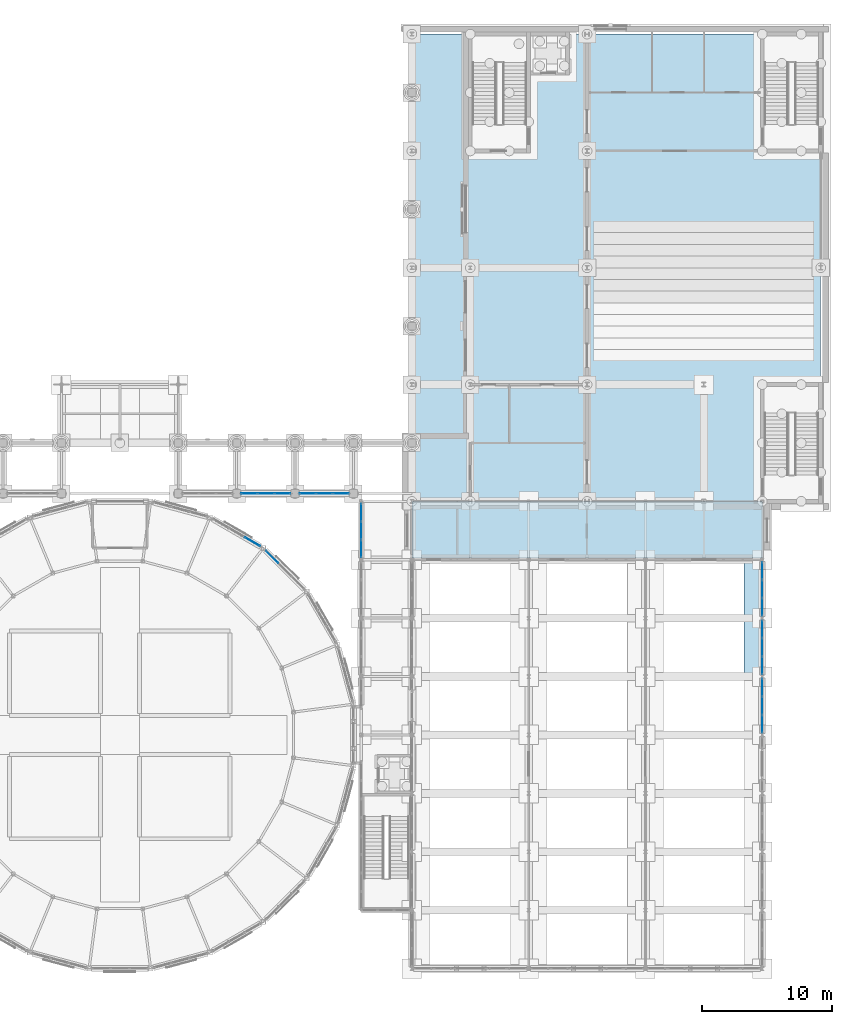
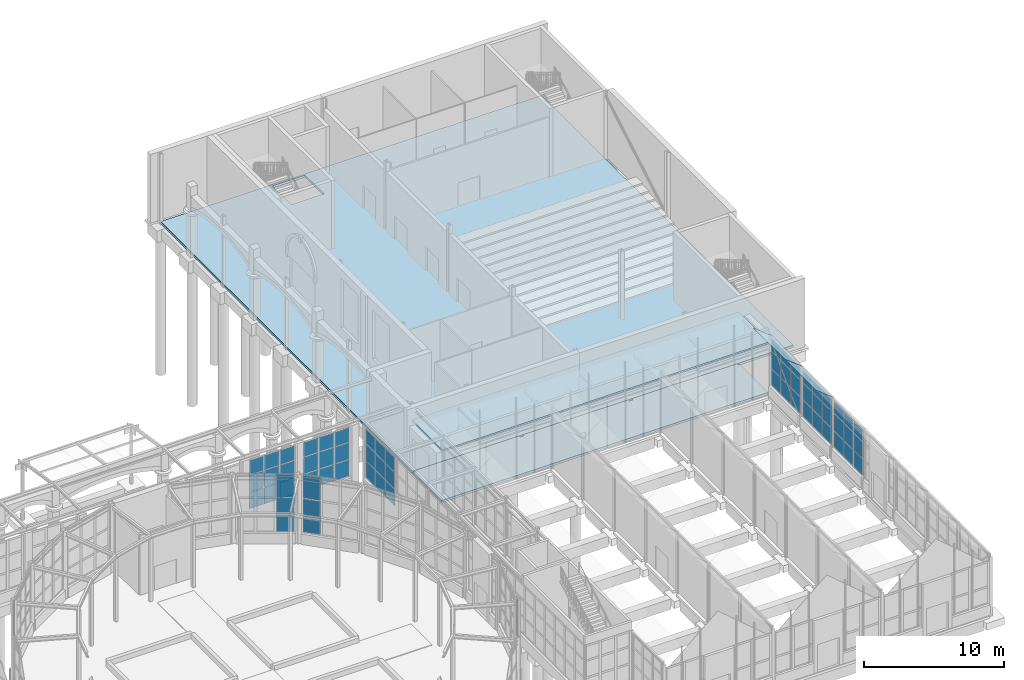
# One storey, part 65 of 106: 62 plates, 3 slabs, 8 elements without a shape of their own.
"""IFC4 building model written with IfcOpenShell, lengths in metres."""

from ifc_helpers import new_model, si_unit, direction, frame, origin, origin_2d, place, context, subcontext, project, spatial, polyline, rectangle, outline, extrude, material, layer, layer_set, type_object, element, aggregate, save


model = new_model("IFC4")

# Units and contexts
model_context = context("Model", 3, precision=1e-05, world=origin(), true_north=direction((0.0, 1.0)))
body_context = subcontext(model_context, "Body", "Model", "MODEL_VIEW")
ifc_project = project(units=[si_unit("LENGTHUNIT", "METRE"), si_unit("AREAUNIT", "SQUARE_METRE"), si_unit("VOLUMEUNIT", "CUBIC_METRE"), si_unit("PLANEANGLEUNIT", "RADIAN"), si_unit("MASSUNIT", "GRAM", prefix="KILO")], contexts=[model_context])

# Site, building, storey
site_placement = place(None, origin())
site = spatial("IfcSite", under=ifc_project, at=site_placement, CompositionType="ELEMENT")
building_placement = place(site_placement, origin())
building = spatial("IfcBuilding", under=site, at=building_placement, Name="Hortulan Conservatory and Botanical Research Centre", CompositionType="ELEMENT")
storey_placement = place(building_placement, origin())
storey = spatial("IfcBuildingStorey", under=building, at=storey_placement, Name="L00", CompositionType="ELEMENT", Elevation=0.0)

# Plate
ifc_material_1 = material(Name="Verdigris copper-green zinc sheet on timber decking", Category="wood")
ifc_layer_1 = layer(ifc_material_1, 0.011962890625)
ifc_layer_set_1 = layer_set([ifc_layer_1], Name="Climate House End Bay Zinc Roof Panel 12")
plate_type_1 = type_object("IfcPlateType", Name="Climate House End Bay Zinc Roof Panel 12", PredefinedType="SHEET", material=ifc_layer_set_1)
plate_1_placement = place(storey_placement, frame((103.60205078125, 31.5, 5.131103515625), z_axis=(0.613967295793, 0.0, 0.789331463769), x_axis=(-0.789331463769, 0.0, 0.613967295793)))
element("IfcPlate", 1, at=plate_1_placement, inside=storey, type_object=plate_type_1, Name="Climate house end bay roof panel", PredefinedType="SHEET", context=body_context, shape_type="SweptSolid", body=[
    extrude(outline(polyline([(0.0, 0.0), (1.9003423388659808, 0.0), (1.9003423388659808, 4.5), (0.0, 4.5), (0.0, 0.0)])), origin(), (0.0, 0.0, -1.0), 0.011962890625),
])

# Slabs
ifc_material_2 = material(Name="Concrete N40 (40 MPa, AS 3600)", Category="concrete")
ifc_layer_2 = layer(ifc_material_2, 0.199951171875)
ifc_layer_set_2 = layer_set([ifc_layer_2], Name="Gardeners Block Ground Slab 200")
slab_type_1 = type_object("IfcSlabType", Name="Gardeners Block Ground Slab 200", PredefinedType="BASESLAB", material=ifc_layer_set_2)
slab_1_placement = place(storey_placement, frame((0.0, 0.0, -0.199951171875)))
element("IfcSlab", 2, at=slab_1_placement, inside=storey, type_object=slab_type_1, Name="Gardeners block ground slab 1", PredefinedType="BASESLAB", context=body_context, shape_type="SweptSolid", body=[
    extrude(outline(polyline([(103.5, 31.800048828125), (76.5, 31.800048828125), (76.5, 35.840087890625), (76.659912109375, 35.840087890625), (76.659912109375, 36.0), (85.340087890625, 36.0), (85.340087890625, 35.840087890625), (85.659912109375, 35.840087890625), (85.659912109375, 36.0), (94.340087890625, 36.0), (94.340087890625, 35.840087890625), (94.659912109375, 35.840087890625), (94.659912109375, 36.0), (103.340087890625, 36.0), (103.340087890625, 35.840087890625), (103.5, 35.840087890625), (103.5, 31.800048828125)])), origin(), (0.0, 0.0, 1.0), 0.199951171875),
])
ifc_layer_3 = layer(ifc_material_2, 0.14990234375)
ifc_layer_set_3 = layer_set([ifc_layer_3], Name="Gardeners Block Roof Slab 150")
slab_type_2 = type_object("IfcSlabType", Name="Gardeners Block Roof Slab 150", PredefinedType="ROOF", material=ifc_layer_set_3)
slab_2_placement = place(storey_placement, frame((0.0, 0.0, 4.35009765625)))
element("IfcSlab", 3, at=slab_2_placement, inside=storey, type_object=slab_type_2, Name="Gardeners block roof slab 1", PredefinedType="ROOF", context=body_context, shape_type="SweptSolid", body=[
    extrude(outline(polyline([(76.5, 31.64697265625), (76.5, 36.0), (103.5, 36.0), (103.5, 31.64697265625), (76.5, 31.64697265625)])), origin(), (0.0, 0.0, 1.0), 0.14990234375),
])

# Plate
ifc_material_3 = material(Name="Low-e laminated glass", Category="glass")
ifc_layer_4 = layer(ifc_material_3, 0.011962890625)
ifc_layer_set_4 = layer_set([ifc_layer_4], Name="Glasshouse Roof Glazing Panel 12")
plate_type_2 = type_object("IfcPlateType", Name="Glasshouse Roof Glazing Panel 12", PredefinedType="SHEET", material=ifc_layer_set_4)
plate_2_placement = place(storey_placement, frame((103.60205078125, 27.0, 5.131103515625), z_axis=(0.613967295793, 0.0, 0.789331463769), x_axis=(-0.789331463769, 0.0, 0.613967295793)))
element("IfcPlate", 4, at=plate_2_placement, inside=storey, type_object=plate_type_2, Name="Glasshouse roof panel", PredefinedType="SHEET", context=body_context, shape_type="SweptSolid", body=[
    extrude(outline(polyline([(0.0, 0.0), (1.9003423388659808, 0.0), (1.9003423388659808, 4.5), (0.0, 4.5), (0.0, 0.0)])), origin(), (0.0, 0.0, -1.0), 0.011962890625),
])

# Slab
ifc_layer_5 = layer(ifc_material_2, 0.199951171875)
ifc_layer_set_5 = layer_set([ifc_layer_5], Name="Ground Slab 200")
slab_type_3 = type_object("IfcSlabType", Name="Ground Slab 200", PredefinedType="BASESLAB", material=ifc_layer_set_5)
slab_3_placement = place(storey_placement, frame((0.0, 0.0, -0.199951171875)))
element("IfcSlab", 5, at=slab_3_placement, inside=storey, type_object=slab_type_3, Name="Ground slab", PredefinedType="BASESLAB", context=body_context, shape_type="SweptSolid", body=[
    extrude(outline(polyline([(76.5, 36.0), (108.0, 36.0), (108.0, 72.0), (76.5, 72.0), (76.5, 36.0)]), holes=[polyline([(88.35009765625, 71.85009765625), (85.64990234375, 71.85009765625), (85.64990234375, 69.14990234375), (88.35009765625, 69.14990234375), (88.35009765625, 71.85009765625)])]), origin(), (0.0, 0.0, 1.0), 0.199951171875),
])

# Curtain wall, plates
ifc_material_4 = material(Name="Bronze-finished aluminium", Category="aluminium")
ifc_layer_6 = layer(ifc_material_4, 0.10009765625)
ifc_layer_set_6 = layer_set([ifc_layer_6], Name="Bronze-framed Curtain Wall 1500 module")
curtain_wall_type = type_object("IfcCurtainWallType", Name="Bronze-framed Curtain Wall 1500 module", PredefinedType="NOTDEFINED", material=ifc_layer_set_6)
curtain_wall_1_placement = place(storey_placement, origin())
curtain_wall_1 = element("IfcCurtainWall", 6, at=curtain_wall_1_placement, inside=storey, type_object=curtain_wall_type, Name="Curtain wall", PredefinedType="NOTDEFINED")
ifc_layer_7 = layer(ifc_material_3, 0.028076171875)
ifc_layer_set_7 = layer_set([ifc_layer_7], Name="Laminated Glass Panel 28")
plate_type_3 = type_object("IfcPlateType", Name="Laminated Glass Panel 28", PredefinedType="CURTAIN_PANEL", material=ifc_layer_set_7)
plate_3_placement = place(storey_placement, frame((65.738037109375, 31.718017578125, 0.9599609375), z_axis=(0.0, 0.0, 1.0), x_axis=(0.707106781187, -0.707106781187, 0.0)))
plate_3 = element("IfcPlate", 7, at=plate_3_placement, type_object=plate_type_3, Name="CW1 panel 1.1", PredefinedType="CURTAIN_PANEL", context=body_context, shape_type="SweptSolid", body=[
    extrude(rectangle(XDim=1.3251953125, YDim=0.028076171875, at=origin_2d()), origin(), (0.0, 0.0, 1.0), 1.409912109375),
])
plate_4_placement = place(storey_placement, frame((65.738037109375, 31.718017578125, 2.429931640625), z_axis=(0.0, 0.0, 1.0), x_axis=(0.707106781187, -0.707106781187, 0.0)))
plate_4 = element("IfcPlate", 8, at=plate_4_placement, type_object=plate_type_3, Name="CW1 panel 1.2", PredefinedType="CURTAIN_PANEL", context=body_context, shape_type="SweptSolid", body=[
    extrude(rectangle(XDim=1.3251953125, YDim=0.028076171875, at=origin_2d()), origin(), (0.0, 0.0, 1.0), 1.43994140625),
])
plate_5_placement = place(storey_placement, frame((65.738037109375, 31.718017578125, 3.93017578125), z_axis=(0.0, 0.0, 1.0), x_axis=(0.707106781187, -0.707106781187, 0.0)))
plate_5 = element("IfcPlate", 9, at=plate_5_placement, type_object=plate_type_3, Name="CW1 panel 1.3", PredefinedType="CURTAIN_PANEL", context=body_context, shape_type="SweptSolid", body=[
    extrude(rectangle(XDim=1.3251953125, YDim=0.028076171875, at=origin_2d()), origin(), (0.0, 0.0, 1.0), 2.010009765625),
])
aggregate(curtain_wall_1, [plate_3, plate_4, plate_5])

curtain_wall_2_placement = place(storey_placement, origin())
curtain_wall_2 = element("IfcCurtainWall", 10, at=curtain_wall_2_placement, inside=storey, type_object=curtain_wall_type, Name="Curtain wall", PredefinedType="NOTDEFINED")
plate_6_placement = place(storey_placement, frame((64.217041015625, 32.885986328125, 0.9599609375), z_axis=(0.0, 0.0, 1.0), x_axis=(0.866036280655, -0.499981160235, 0.0)))
plate_6 = element("IfcPlate", 11, at=plate_6_placement, type_object=plate_type_3, Name="CW1 panel 3.1", PredefinedType="CURTAIN_PANEL", context=body_context, shape_type="SweptSolid", body=[
    extrude(rectangle(XDim=1.330078125, YDim=0.028076171875, at=origin_2d()), origin(), (0.0, 0.0, 1.0), 1.409912109375),
])
plate_7_placement = place(storey_placement, frame((64.217041015625, 32.885986328125, 2.429931640625), z_axis=(0.0, 0.0, 1.0), x_axis=(0.866036280655, -0.499981160235, 0.0)))
plate_7 = element("IfcPlate", 12, at=plate_7_placement, type_object=plate_type_3, Name="CW1 panel 3.2", PredefinedType="CURTAIN_PANEL", context=body_context, shape_type="SweptSolid", body=[
    extrude(rectangle(XDim=1.330078125, YDim=0.028076171875, at=origin_2d()), origin(), (0.0, 0.0, 1.0), 1.43994140625),
])
plate_8_placement = place(storey_placement, frame((64.217041015625, 32.885986328125, 3.93017578125), z_axis=(0.0, 0.0, 1.0), x_axis=(0.866036280655, -0.499981160235, 0.0)))
plate_8 = element("IfcPlate", 13, at=plate_8_placement, type_object=plate_type_3, Name="CW1 panel 3.3", PredefinedType="CURTAIN_PANEL", context=body_context, shape_type="SweptSolid", body=[
    extrude(rectangle(XDim=1.330078125, YDim=0.028076171875, at=origin_2d()), origin(), (0.0, 0.0, 1.0), 2.010009765625),
])
aggregate(curtain_wall_2, [plate_6, plate_7, plate_8])

curtain_wall_3_placement = place(storey_placement, origin())
curtain_wall_3 = element("IfcCurtainWall", 14, at=curtain_wall_3_placement, inside=storey, type_object=curtain_wall_type, Name="Curtain wall", PredefinedType="NOTDEFINED")
plate_9_placement = place(storey_placement, frame((72.60009765625, 32.348388671875, 0.9599609375), z_axis=(0.0, 0.0, 1.0), x_axis=(0.0, 1.0, 0.0)))
plate_9 = element("IfcPlate", 15, at=plate_9_placement, type_object=plate_type_3, Name="CW1 panel 1.1", PredefinedType="CURTAIN_PANEL", context=body_context, shape_type="SweptSolid", body=[
    extrude(rectangle(XDim=1.32666015625, YDim=0.028076171875, at=origin_2d()), origin(), (0.0, 0.0, 1.0), 1.409912109375),
])
plate_10_placement = place(storey_placement, frame((72.60009765625, 32.348388671875, 2.429931640625), z_axis=(0.0, 0.0, 1.0), x_axis=(0.0, 1.0, 0.0)))
plate_10 = element("IfcPlate", 16, at=plate_10_placement, type_object=plate_type_3, Name="CW1 panel 1.2", PredefinedType="CURTAIN_PANEL", context=body_context, shape_type="SweptSolid", body=[
    extrude(rectangle(XDim=1.32666015625, YDim=0.028076171875, at=origin_2d()), origin(), (0.0, 0.0, 1.0), 1.43994140625),
])
plate_11_placement = place(storey_placement, frame((72.60009765625, 32.348388671875, 3.929931640625), z_axis=(0.0, 0.0, 1.0), x_axis=(0.0, 1.0, 0.0)))
plate_11 = element("IfcPlate", 17, at=plate_11_placement, type_object=plate_type_3, Name="CW1 panel 1.3", PredefinedType="CURTAIN_PANEL", context=body_context, shape_type="SweptSolid", body=[
    extrude(rectangle(XDim=1.32666015625, YDim=0.028076171875, at=origin_2d()), origin(), (0.0, 0.0, 1.0), 1.25),
])
plate_12_placement = place(storey_placement, frame((72.60009765625, 33.75, 0.9599609375), z_axis=(0.0, 0.0, 1.0), x_axis=(0.0, 1.0, 0.0)))
plate_12 = element("IfcPlate", 18, at=plate_12_placement, type_object=plate_type_3, Name="CW1 panel 2.1", PredefinedType="CURTAIN_PANEL", context=body_context, shape_type="SweptSolid", body=[
    extrude(rectangle(XDim=1.356689453125, YDim=0.028076171875, at=origin_2d()), origin(), (0.0, 0.0, 1.0), 1.409912109375),
])
plate_13_placement = place(storey_placement, frame((72.60009765625, 33.75, 2.429931640625), z_axis=(0.0, 0.0, 1.0), x_axis=(0.0, 1.0, 0.0)))
plate_13 = element("IfcPlate", 19, at=plate_13_placement, type_object=plate_type_3, Name="CW1 panel 2.2", PredefinedType="CURTAIN_PANEL", context=body_context, shape_type="SweptSolid", body=[
    extrude(rectangle(XDim=1.356689453125, YDim=0.028076171875, at=origin_2d()), origin(), (0.0, 0.0, 1.0), 1.43994140625),
])
plate_14_placement = place(storey_placement, frame((72.60009765625, 33.75, 3.929931640625), z_axis=(0.0, 0.0, 1.0), x_axis=(0.0, 1.0, 0.0)))
plate_14 = element("IfcPlate", 20, at=plate_14_placement, type_object=plate_type_3, Name="CW1 panel 2.3", PredefinedType="CURTAIN_PANEL", context=body_context, shape_type="SweptSolid", body=[
    extrude(rectangle(XDim=1.356689453125, YDim=0.028076171875, at=origin_2d()), origin(), (0.0, 0.0, 1.0), 1.25),
])
plate_15_placement = place(storey_placement, frame((72.60009765625, 35.151611328125, 0.9599609375), z_axis=(0.0, 0.0, 1.0), x_axis=(0.0, 1.0, 0.0)))
plate_15 = element("IfcPlate", 21, at=plate_15_placement, type_object=plate_type_3, Name="CW1 panel 3.1", PredefinedType="CURTAIN_PANEL", context=body_context, shape_type="SweptSolid", body=[
    extrude(rectangle(XDim=1.32666015625, YDim=0.028076171875, at=origin_2d()), origin(), (0.0, 0.0, 1.0), 1.409912109375),
])
plate_16_placement = place(storey_placement, frame((72.60009765625, 35.151611328125, 2.429931640625), z_axis=(0.0, 0.0, 1.0), x_axis=(0.0, 1.0, 0.0)))
plate_16 = element("IfcPlate", 22, at=plate_16_placement, type_object=plate_type_3, Name="CW1 panel 3.2", PredefinedType="CURTAIN_PANEL", context=body_context, shape_type="SweptSolid", body=[
    extrude(rectangle(XDim=1.32666015625, YDim=0.028076171875, at=origin_2d()), origin(), (0.0, 0.0, 1.0), 1.43994140625),
])
plate_17_placement = place(storey_placement, frame((72.60009765625, 35.151611328125, 3.929931640625), z_axis=(0.0, 0.0, 1.0), x_axis=(0.0, 1.0, 0.0)))
plate_17 = element("IfcPlate", 23, at=plate_17_placement, type_object=plate_type_3, Name="CW1 panel 3.3", PredefinedType="CURTAIN_PANEL", context=body_context, shape_type="SweptSolid", body=[
    extrude(rectangle(XDim=1.32666015625, YDim=0.028076171875, at=origin_2d()), origin(), (0.0, 0.0, 1.0), 1.25),
])
aggregate(curtain_wall_3, [plate_9, plate_10, plate_11, plate_12, plate_13, plate_14, plate_15, plate_16, plate_17])

curtain_wall_4_placement = place(storey_placement, origin())
curtain_wall_4 = element("IfcCurtainWall", 24, at=curtain_wall_4_placement, inside=storey, type_object=curtain_wall_type, Name="Curtain wall", PredefinedType="NOTDEFINED")
plate_18_placement = place(storey_placement, frame((63.965087890625, 36.60009765625, 0.9599609375), z_axis=(0.0, 0.0, 1.0), x_axis=(1.0, 0.0, 0.0)))
plate_18 = element("IfcPlate", 25, at=plate_18_placement, type_object=plate_type_3, Name="CW1 panel 1.1", PredefinedType="CURTAIN_PANEL", context=body_context, shape_type="SweptSolid", body=[
    extrude(rectangle(XDim=1.2099609375, YDim=0.028076171875, at=origin_2d()), origin(), (0.0, 0.0, 1.0), 1.409912109375),
])
plate_19_placement = place(storey_placement, frame((63.965087890625, 36.60009765625, 2.429931640625), z_axis=(0.0, 0.0, 1.0), x_axis=(1.0, 0.0, 0.0)))
plate_19 = element("IfcPlate", 26, at=plate_19_placement, type_object=plate_type_3, Name="CW1 panel 1.2", PredefinedType="CURTAIN_PANEL", context=body_context, shape_type="SweptSolid", body=[
    extrude(rectangle(XDim=1.2099609375, YDim=0.028076171875, at=origin_2d()), origin(), (0.0, 0.0, 1.0), 1.43994140625),
])
plate_20_placement = place(storey_placement, frame((63.965087890625, 36.60009765625, 3.929931640625), z_axis=(0.0, 0.0, 1.0), x_axis=(1.0, 0.0, 0.0)))
plate_20 = element("IfcPlate", 27, at=plate_20_placement, type_object=plate_type_3, Name="CW1 panel 1.3", PredefinedType="CURTAIN_PANEL", context=body_context, shape_type="SweptSolid", body=[
    extrude(rectangle(XDim=1.2099609375, YDim=0.028076171875, at=origin_2d()), origin(), (0.0, 0.0, 1.0), 1.25),
])
plate_21_placement = place(storey_placement, frame((65.25, 36.60009765625, 0.9599609375), z_axis=(0.0, 0.0, 1.0), x_axis=(1.0, 0.0, 0.0)))
plate_21 = element("IfcPlate", 28, at=plate_21_placement, type_object=plate_type_3, Name="CW1 panel 2.1", PredefinedType="CURTAIN_PANEL", context=body_context, shape_type="SweptSolid", body=[
    extrude(rectangle(XDim=1.239990234375, YDim=0.028076171875, at=origin_2d()), origin(), (0.0, 0.0, 1.0), 1.409912109375),
])
plate_22_placement = place(storey_placement, frame((65.25, 36.60009765625, 2.429931640625), z_axis=(0.0, 0.0, 1.0), x_axis=(1.0, 0.0, 0.0)))
plate_22 = element("IfcPlate", 29, at=plate_22_placement, type_object=plate_type_3, Name="CW1 panel 2.2", PredefinedType="CURTAIN_PANEL", context=body_context, shape_type="SweptSolid", body=[
    extrude(rectangle(XDim=1.239990234375, YDim=0.028076171875, at=origin_2d()), origin(), (0.0, 0.0, 1.0), 1.43994140625),
])
plate_23_placement = place(storey_placement, frame((65.25, 36.60009765625, 3.929931640625), z_axis=(0.0, 0.0, 1.0), x_axis=(1.0, 0.0, 0.0)))
plate_23 = element("IfcPlate", 30, at=plate_23_placement, type_object=plate_type_3, Name="CW1 panel 2.3", PredefinedType="CURTAIN_PANEL", context=body_context, shape_type="SweptSolid", body=[
    extrude(rectangle(XDim=1.239990234375, YDim=0.028076171875, at=origin_2d()), origin(), (0.0, 0.0, 1.0), 1.25),
])
plate_24_placement = place(storey_placement, frame((66.534912109375, 36.60009765625, 0.9599609375), z_axis=(0.0, 0.0, 1.0), x_axis=(1.0, 0.0, 0.0)))
plate_24 = element("IfcPlate", 31, at=plate_24_placement, type_object=plate_type_3, Name="CW1 panel 3.1", PredefinedType="CURTAIN_PANEL", context=body_context, shape_type="SweptSolid", body=[
    extrude(rectangle(XDim=1.2099609375, YDim=0.028076171875, at=origin_2d()), origin(), (0.0, 0.0, 1.0), 1.409912109375),
])
plate_25_placement = place(storey_placement, frame((66.534912109375, 36.60009765625, 2.429931640625), z_axis=(0.0, 0.0, 1.0), x_axis=(1.0, 0.0, 0.0)))
plate_25 = element("IfcPlate", 32, at=plate_25_placement, type_object=plate_type_3, Name="CW1 panel 3.2", PredefinedType="CURTAIN_PANEL", context=body_context, shape_type="SweptSolid", body=[
    extrude(rectangle(XDim=1.2099609375, YDim=0.028076171875, at=origin_2d()), origin(), (0.0, 0.0, 1.0), 1.43994140625),
])
plate_26_placement = place(storey_placement, frame((66.534912109375, 36.60009765625, 3.929931640625), z_axis=(0.0, 0.0, 1.0), x_axis=(1.0, 0.0, 0.0)))
plate_26 = element("IfcPlate", 33, at=plate_26_placement, type_object=plate_type_3, Name="CW1 panel 3.3", PredefinedType="CURTAIN_PANEL", context=body_context, shape_type="SweptSolid", body=[
    extrude(rectangle(XDim=1.2099609375, YDim=0.028076171875, at=origin_2d()), origin(), (0.0, 0.0, 1.0), 1.25),
])
aggregate(curtain_wall_4, [plate_18, plate_19, plate_20, plate_21, plate_22, plate_23, plate_24, plate_25, plate_26])

curtain_wall_5_placement = place(storey_placement, origin())
curtain_wall_5 = element("IfcCurtainWall", 34, at=curtain_wall_5_placement, inside=storey, type_object=curtain_wall_type, Name="Curtain wall", PredefinedType="NOTDEFINED")
plate_27_placement = place(storey_placement, frame((68.465087890625, 36.60009765625, 0.9599609375), z_axis=(0.0, 0.0, 1.0), x_axis=(1.0, 0.0, 0.0)))
plate_27 = element("IfcPlate", 35, at=plate_27_placement, type_object=plate_type_3, Name="CW1 panel 1.1", PredefinedType="CURTAIN_PANEL", context=body_context, shape_type="SweptSolid", body=[
    extrude(rectangle(XDim=1.2099609375, YDim=0.028076171875, at=origin_2d()), origin(), (0.0, 0.0, 1.0), 1.409912109375),
])
plate_28_placement = place(storey_placement, frame((68.465087890625, 36.60009765625, 2.429931640625), z_axis=(0.0, 0.0, 1.0), x_axis=(1.0, 0.0, 0.0)))
plate_28 = element("IfcPlate", 36, at=plate_28_placement, type_object=plate_type_3, Name="CW1 panel 1.2", PredefinedType="CURTAIN_PANEL", context=body_context, shape_type="SweptSolid", body=[
    extrude(rectangle(XDim=1.2099609375, YDim=0.028076171875, at=origin_2d()), origin(), (0.0, 0.0, 1.0), 1.43994140625),
])
plate_29_placement = place(storey_placement, frame((68.465087890625, 36.60009765625, 3.929931640625), z_axis=(0.0, 0.0, 1.0), x_axis=(1.0, 0.0, 0.0)))
plate_29 = element("IfcPlate", 37, at=plate_29_placement, type_object=plate_type_3, Name="CW1 panel 1.3", PredefinedType="CURTAIN_PANEL", context=body_context, shape_type="SweptSolid", body=[
    extrude(rectangle(XDim=1.2099609375, YDim=0.028076171875, at=origin_2d()), origin(), (0.0, 0.0, 1.0), 1.25),
])
plate_30_placement = place(storey_placement, frame((69.75, 36.60009765625, 0.9599609375), z_axis=(0.0, 0.0, 1.0), x_axis=(1.0, 0.0, 0.0)))
plate_30 = element("IfcPlate", 38, at=plate_30_placement, type_object=plate_type_3, Name="CW1 panel 2.1", PredefinedType="CURTAIN_PANEL", context=body_context, shape_type="SweptSolid", body=[
    extrude(rectangle(XDim=1.239990234375, YDim=0.028076171875, at=origin_2d()), origin(), (0.0, 0.0, 1.0), 1.409912109375),
])
plate_31_placement = place(storey_placement, frame((69.75, 36.60009765625, 2.429931640625), z_axis=(0.0, 0.0, 1.0), x_axis=(1.0, 0.0, 0.0)))
plate_31 = element("IfcPlate", 39, at=plate_31_placement, type_object=plate_type_3, Name="CW1 panel 2.2", PredefinedType="CURTAIN_PANEL", context=body_context, shape_type="SweptSolid", body=[
    extrude(rectangle(XDim=1.239990234375, YDim=0.028076171875, at=origin_2d()), origin(), (0.0, 0.0, 1.0), 1.43994140625),
])
plate_32_placement = place(storey_placement, frame((69.75, 36.60009765625, 3.929931640625), z_axis=(0.0, 0.0, 1.0), x_axis=(1.0, 0.0, 0.0)))
plate_32 = element("IfcPlate", 40, at=plate_32_placement, type_object=plate_type_3, Name="CW1 panel 2.3", PredefinedType="CURTAIN_PANEL", context=body_context, shape_type="SweptSolid", body=[
    extrude(rectangle(XDim=1.239990234375, YDim=0.028076171875, at=origin_2d()), origin(), (0.0, 0.0, 1.0), 1.25),
])
plate_33_placement = place(storey_placement, frame((71.034912109375, 36.60009765625, 0.9599609375), z_axis=(0.0, 0.0, 1.0), x_axis=(1.0, 0.0, 0.0)))
plate_33 = element("IfcPlate", 41, at=plate_33_placement, type_object=plate_type_3, Name="CW1 panel 3.1", PredefinedType="CURTAIN_PANEL", context=body_context, shape_type="SweptSolid", body=[
    extrude(rectangle(XDim=1.2099609375, YDim=0.028076171875, at=origin_2d()), origin(), (0.0, 0.0, 1.0), 1.409912109375),
])
plate_34_placement = place(storey_placement, frame((71.034912109375, 36.60009765625, 2.429931640625), z_axis=(0.0, 0.0, 1.0), x_axis=(1.0, 0.0, 0.0)))
plate_34 = element("IfcPlate", 42, at=plate_34_placement, type_object=plate_type_3, Name="CW1 panel 3.2", PredefinedType="CURTAIN_PANEL", context=body_context, shape_type="SweptSolid", body=[
    extrude(rectangle(XDim=1.2099609375, YDim=0.028076171875, at=origin_2d()), origin(), (0.0, 0.0, 1.0), 1.43994140625),
])
plate_35_placement = place(storey_placement, frame((71.034912109375, 36.60009765625, 3.929931640625), z_axis=(0.0, 0.0, 1.0), x_axis=(1.0, 0.0, 0.0)))
plate_35 = element("IfcPlate", 43, at=plate_35_placement, type_object=plate_type_3, Name="CW1 panel 3.3", PredefinedType="CURTAIN_PANEL", context=body_context, shape_type="SweptSolid", body=[
    extrude(rectangle(XDim=1.2099609375, YDim=0.028076171875, at=origin_2d()), origin(), (0.0, 0.0, 1.0), 1.25),
])
aggregate(curtain_wall_5, [plate_27, plate_28, plate_29, plate_30, plate_31, plate_32, plate_33, plate_34, plate_35])

curtain_wall_6_placement = place(storey_placement, origin())
curtain_wall_6 = element("IfcCurtainWall", 44, at=curtain_wall_6_placement, inside=storey, type_object=curtain_wall_type, Name="Curtain wall", PredefinedType="NOTDEFINED")
plate_36_placement = place(storey_placement, frame((103.5, 18.849609375, 0.9599609375), z_axis=(0.0, 0.0, 1.0), x_axis=(0.0, 1.0, 0.0)))
plate_36 = element("IfcPlate", 45, at=plate_36_placement, type_object=plate_type_3, Name="CW1 panel 1.1", PredefinedType="CURTAIN_PANEL", context=body_context, shape_type="SweptSolid", body=[
    extrude(rectangle(XDim=1.325439453125, YDim=0.028076171875, at=origin_2d()), origin(), (0.0, 0.0, 1.0), 1.409912109375),
])
plate_37_placement = place(storey_placement, frame((103.5, 18.849609375, 2.429931640625), z_axis=(0.0, 0.0, 1.0), x_axis=(0.0, 1.0, 0.0)))
plate_37 = element("IfcPlate", 46, at=plate_37_placement, type_object=plate_type_3, Name="CW1 panel 1.2", PredefinedType="CURTAIN_PANEL", context=body_context, shape_type="SweptSolid", body=[
    extrude(rectangle(XDim=1.325439453125, YDim=0.028076171875, at=origin_2d()), origin(), (0.0, 0.0, 1.0), 1.43994140625),
])
plate_38_placement = place(storey_placement, frame((103.5, 18.849609375, 3.93017578125), z_axis=(0.0, 0.0, 1.0), x_axis=(0.0, 1.0, 0.0)))
plate_38 = element("IfcPlate", 47, at=plate_38_placement, type_object=plate_type_3, Name="CW1 panel 1.3", PredefinedType="CURTAIN_PANEL", context=body_context, shape_type="SweptSolid", body=[
    extrude(rectangle(XDim=1.325439453125, YDim=0.028076171875, at=origin_2d()), origin(), (0.0, 0.0, 1.0), 1.010009765625),
])
plate_39_placement = place(storey_placement, frame((103.5, 20.25, 0.9599609375), z_axis=(0.0, 0.0, 1.0), x_axis=(0.0, 1.0, 0.0)))
plate_39 = element("IfcPlate", 48, at=plate_39_placement, type_object=plate_type_3, Name="CW1 panel 2.1", PredefinedType="CURTAIN_PANEL", context=body_context, shape_type="SweptSolid", body=[
    extrude(rectangle(XDim=1.355224609375, YDim=0.028076171875, at=origin_2d()), origin(), (0.0, 0.0, 1.0), 1.409912109375),
])
plate_40_placement = place(storey_placement, frame((103.5, 20.25, 2.429931640625), z_axis=(0.0, 0.0, 1.0), x_axis=(0.0, 1.0, 0.0)))
plate_40 = element("IfcPlate", 49, at=plate_40_placement, type_object=plate_type_3, Name="CW1 panel 2.2", PredefinedType="CURTAIN_PANEL", context=body_context, shape_type="SweptSolid", body=[
    extrude(rectangle(XDim=1.355224609375, YDim=0.028076171875, at=origin_2d()), origin(), (0.0, 0.0, 1.0), 1.43994140625),
])
plate_41_placement = place(storey_placement, frame((103.5, 20.25, 3.93017578125), z_axis=(0.0, 0.0, 1.0), x_axis=(0.0, 1.0, 0.0)))
plate_41 = element("IfcPlate", 50, at=plate_41_placement, type_object=plate_type_3, Name="CW1 panel 2.3", PredefinedType="CURTAIN_PANEL", context=body_context, shape_type="SweptSolid", body=[
    extrude(rectangle(XDim=1.355224609375, YDim=0.028076171875, at=origin_2d()), origin(), (0.0, 0.0, 1.0), 1.010009765625),
])
plate_42_placement = place(storey_placement, frame((103.5, 21.650390625, 0.9599609375), z_axis=(0.0, 0.0, 1.0), x_axis=(0.0, 1.0, 0.0)))
plate_42 = element("IfcPlate", 51, at=plate_42_placement, type_object=plate_type_3, Name="CW1 panel 3.1", PredefinedType="CURTAIN_PANEL", context=body_context, shape_type="SweptSolid", body=[
    extrude(rectangle(XDim=1.325439453125, YDim=0.028076171875, at=origin_2d()), origin(), (0.0, 0.0, 1.0), 1.409912109375),
])
plate_43_placement = place(storey_placement, frame((103.5, 21.650390625, 2.429931640625), z_axis=(0.0, 0.0, 1.0), x_axis=(0.0, 1.0, 0.0)))
plate_43 = element("IfcPlate", 52, at=plate_43_placement, type_object=plate_type_3, Name="CW1 panel 3.2", PredefinedType="CURTAIN_PANEL", context=body_context, shape_type="SweptSolid", body=[
    extrude(rectangle(XDim=1.325439453125, YDim=0.028076171875, at=origin_2d()), origin(), (0.0, 0.0, 1.0), 1.43994140625),
])
plate_44_placement = place(storey_placement, frame((103.5, 21.650390625, 3.93017578125), z_axis=(0.0, 0.0, 1.0), x_axis=(0.0, 1.0, 0.0)))
plate_44 = element("IfcPlate", 53, at=plate_44_placement, type_object=plate_type_3, Name="CW1 panel 3.3", PredefinedType="CURTAIN_PANEL", context=body_context, shape_type="SweptSolid", body=[
    extrude(rectangle(XDim=1.325439453125, YDim=0.028076171875, at=origin_2d()), origin(), (0.0, 0.0, 1.0), 1.010009765625),
])
aggregate(curtain_wall_6, [plate_36, plate_37, plate_38, plate_39, plate_40, plate_41, plate_42, plate_43, plate_44])

curtain_wall_7_placement = place(storey_placement, origin())
curtain_wall_7 = element("IfcCurtainWall", 54, at=curtain_wall_7_placement, inside=storey, type_object=curtain_wall_type, Name="Curtain wall", PredefinedType="NOTDEFINED")
plate_45_placement = place(storey_placement, frame((103.5, 23.349609375, 0.9599609375), z_axis=(0.0, 0.0, 1.0), x_axis=(0.0, 1.0, 0.0)))
plate_45 = element("IfcPlate", 55, at=plate_45_placement, type_object=plate_type_3, Name="CW1 panel 1.1", PredefinedType="CURTAIN_PANEL", context=body_context, shape_type="SweptSolid", body=[
    extrude(rectangle(XDim=1.325439453125, YDim=0.028076171875, at=origin_2d()), origin(), (0.0, 0.0, 1.0), 1.409912109375),
])
plate_46_placement = place(storey_placement, frame((103.5, 23.349609375, 2.429931640625), z_axis=(0.0, 0.0, 1.0), x_axis=(0.0, 1.0, 0.0)))
plate_46 = element("IfcPlate", 56, at=plate_46_placement, type_object=plate_type_3, Name="CW1 panel 1.2", PredefinedType="CURTAIN_PANEL", context=body_context, shape_type="SweptSolid", body=[
    extrude(rectangle(XDim=1.325439453125, YDim=0.028076171875, at=origin_2d()), origin(), (0.0, 0.0, 1.0), 1.43994140625),
])
plate_47_placement = place(storey_placement, frame((103.5, 23.349609375, 3.93017578125), z_axis=(0.0, 0.0, 1.0), x_axis=(0.0, 1.0, 0.0)))
plate_47 = element("IfcPlate", 57, at=plate_47_placement, type_object=plate_type_3, Name="CW1 panel 1.3", PredefinedType="CURTAIN_PANEL", context=body_context, shape_type="SweptSolid", body=[
    extrude(rectangle(XDim=1.325439453125, YDim=0.028076171875, at=origin_2d()), origin(), (0.0, 0.0, 1.0), 1.010009765625),
])
plate_48_placement = place(storey_placement, frame((103.5, 24.75, 0.9599609375), z_axis=(0.0, 0.0, 1.0), x_axis=(0.0, 1.0, 0.0)))
plate_48 = element("IfcPlate", 58, at=plate_48_placement, type_object=plate_type_3, Name="CW1 panel 2.1", PredefinedType="CURTAIN_PANEL", context=body_context, shape_type="SweptSolid", body=[
    extrude(rectangle(XDim=1.355224609375, YDim=0.028076171875, at=origin_2d()), origin(), (0.0, 0.0, 1.0), 1.409912109375),
])
plate_49_placement = place(storey_placement, frame((103.5, 24.75, 2.429931640625), z_axis=(0.0, 0.0, 1.0), x_axis=(0.0, 1.0, 0.0)))
plate_49 = element("IfcPlate", 59, at=plate_49_placement, type_object=plate_type_3, Name="CW1 panel 2.2", PredefinedType="CURTAIN_PANEL", context=body_context, shape_type="SweptSolid", body=[
    extrude(rectangle(XDim=1.355224609375, YDim=0.028076171875, at=origin_2d()), origin(), (0.0, 0.0, 1.0), 1.43994140625),
])
plate_50_placement = place(storey_placement, frame((103.5, 24.75, 3.93017578125), z_axis=(0.0, 0.0, 1.0), x_axis=(0.0, 1.0, 0.0)))
plate_50 = element("IfcPlate", 60, at=plate_50_placement, type_object=plate_type_3, Name="CW1 panel 2.3", PredefinedType="CURTAIN_PANEL", context=body_context, shape_type="SweptSolid", body=[
    extrude(rectangle(XDim=1.355224609375, YDim=0.028076171875, at=origin_2d()), origin(), (0.0, 0.0, 1.0), 1.010009765625),
])
plate_51_placement = place(storey_placement, frame((103.5, 26.150390625, 0.9599609375), z_axis=(0.0, 0.0, 1.0), x_axis=(0.0, 1.0, 0.0)))
plate_51 = element("IfcPlate", 61, at=plate_51_placement, type_object=plate_type_3, Name="CW1 panel 3.1", PredefinedType="CURTAIN_PANEL", context=body_context, shape_type="SweptSolid", body=[
    extrude(rectangle(XDim=1.325439453125, YDim=0.028076171875, at=origin_2d()), origin(), (0.0, 0.0, 1.0), 1.409912109375),
])
plate_52_placement = place(storey_placement, frame((103.5, 26.150390625, 2.429931640625), z_axis=(0.0, 0.0, 1.0), x_axis=(0.0, 1.0, 0.0)))
plate_52 = element("IfcPlate", 62, at=plate_52_placement, type_object=plate_type_3, Name="CW1 panel 3.2", PredefinedType="CURTAIN_PANEL", context=body_context, shape_type="SweptSolid", body=[
    extrude(rectangle(XDim=1.325439453125, YDim=0.028076171875, at=origin_2d()), origin(), (0.0, 0.0, 1.0), 1.43994140625),
])
plate_53_placement = place(storey_placement, frame((103.5, 26.150390625, 3.93017578125), z_axis=(0.0, 0.0, 1.0), x_axis=(0.0, 1.0, 0.0)))
plate_53 = element("IfcPlate", 63, at=plate_53_placement, type_object=plate_type_3, Name="CW1 panel 3.3", PredefinedType="CURTAIN_PANEL", context=body_context, shape_type="SweptSolid", body=[
    extrude(rectangle(XDim=1.325439453125, YDim=0.028076171875, at=origin_2d()), origin(), (0.0, 0.0, 1.0), 1.010009765625),
])
aggregate(curtain_wall_7, [plate_45, plate_46, plate_47, plate_48, plate_49, plate_50, plate_51, plate_52, plate_53])

curtain_wall_8_placement = place(storey_placement, origin())
curtain_wall_8 = element("IfcCurtainWall", 64, at=curtain_wall_8_placement, inside=storey, type_object=curtain_wall_type, Name="Curtain wall", PredefinedType="NOTDEFINED")
plate_54_placement = place(storey_placement, frame((103.5, 27.849609375, 0.9599609375), z_axis=(0.0, 0.0, 1.0), x_axis=(0.0, 1.0, 0.0)))
plate_54 = element("IfcPlate", 65, at=plate_54_placement, type_object=plate_type_3, Name="CW1 panel 1.1", PredefinedType="CURTAIN_PANEL", context=body_context, shape_type="SweptSolid", body=[
    extrude(rectangle(XDim=1.325439453125, YDim=0.028076171875, at=origin_2d()), origin(), (0.0, 0.0, 1.0), 1.409912109375),
])
plate_55_placement = place(storey_placement, frame((103.5, 27.849609375, 2.429931640625), z_axis=(0.0, 0.0, 1.0), x_axis=(0.0, 1.0, 0.0)))
plate_55 = element("IfcPlate", 66, at=plate_55_placement, type_object=plate_type_3, Name="CW1 panel 1.2", PredefinedType="CURTAIN_PANEL", context=body_context, shape_type="SweptSolid", body=[
    extrude(rectangle(XDim=1.325439453125, YDim=0.028076171875, at=origin_2d()), origin(), (0.0, 0.0, 1.0), 1.43994140625),
])
plate_56_placement = place(storey_placement, frame((103.5, 27.849609375, 3.93017578125), z_axis=(0.0, 0.0, 1.0), x_axis=(0.0, 1.0, 0.0)))
plate_56 = element("IfcPlate", 67, at=plate_56_placement, type_object=plate_type_3, Name="CW1 panel 1.3", PredefinedType="CURTAIN_PANEL", context=body_context, shape_type="SweptSolid", body=[
    extrude(rectangle(XDim=1.325439453125, YDim=0.028076171875, at=origin_2d()), origin(), (0.0, 0.0, 1.0), 1.010009765625),
])
plate_57_placement = place(storey_placement, frame((103.5, 29.25, 0.9599609375), z_axis=(0.0, 0.0, 1.0), x_axis=(0.0, 1.0, 0.0)))
plate_57 = element("IfcPlate", 68, at=plate_57_placement, type_object=plate_type_3, Name="CW1 panel 2.1", PredefinedType="CURTAIN_PANEL", context=body_context, shape_type="SweptSolid", body=[
    extrude(rectangle(XDim=1.355224609375, YDim=0.028076171875, at=origin_2d()), origin(), (0.0, 0.0, 1.0), 1.409912109375),
])
plate_58_placement = place(storey_placement, frame((103.5, 29.25, 2.429931640625), z_axis=(0.0, 0.0, 1.0), x_axis=(0.0, 1.0, 0.0)))
plate_58 = element("IfcPlate", 69, at=plate_58_placement, type_object=plate_type_3, Name="CW1 panel 2.2", PredefinedType="CURTAIN_PANEL", context=body_context, shape_type="SweptSolid", body=[
    extrude(rectangle(XDim=1.355224609375, YDim=0.028076171875, at=origin_2d()), origin(), (0.0, 0.0, 1.0), 1.43994140625),
])
plate_59_placement = place(storey_placement, frame((103.5, 29.25, 3.93017578125), z_axis=(0.0, 0.0, 1.0), x_axis=(0.0, 1.0, 0.0)))
plate_59 = element("IfcPlate", 70, at=plate_59_placement, type_object=plate_type_3, Name="CW1 panel 2.3", PredefinedType="CURTAIN_PANEL", context=body_context, shape_type="SweptSolid", body=[
    extrude(rectangle(XDim=1.355224609375, YDim=0.028076171875, at=origin_2d()), origin(), (0.0, 0.0, 1.0), 1.010009765625),
])
plate_60_placement = place(storey_placement, frame((103.5, 30.650390625, 0.9599609375), z_axis=(0.0, 0.0, 1.0), x_axis=(0.0, 1.0, 0.0)))
plate_60 = element("IfcPlate", 71, at=plate_60_placement, type_object=plate_type_3, Name="CW1 panel 3.1", PredefinedType="CURTAIN_PANEL", context=body_context, shape_type="SweptSolid", body=[
    extrude(rectangle(XDim=1.325439453125, YDim=0.028076171875, at=origin_2d()), origin(), (0.0, 0.0, 1.0), 1.409912109375),
])
plate_61_placement = place(storey_placement, frame((103.5, 30.650390625, 2.429931640625), z_axis=(0.0, 0.0, 1.0), x_axis=(0.0, 1.0, 0.0)))
plate_61 = element("IfcPlate", 72, at=plate_61_placement, type_object=plate_type_3, Name="CW1 panel 3.2", PredefinedType="CURTAIN_PANEL", context=body_context, shape_type="SweptSolid", body=[
    extrude(rectangle(XDim=1.325439453125, YDim=0.028076171875, at=origin_2d()), origin(), (0.0, 0.0, 1.0), 1.43994140625),
])
plate_62_placement = place(storey_placement, frame((103.5, 30.650390625, 3.93017578125), z_axis=(0.0, 0.0, 1.0), x_axis=(0.0, 1.0, 0.0)))
plate_62 = element("IfcPlate", 73, at=plate_62_placement, type_object=plate_type_3, Name="CW1 panel 3.3", PredefinedType="CURTAIN_PANEL", context=body_context, shape_type="SweptSolid", body=[
    extrude(rectangle(XDim=1.325439453125, YDim=0.028076171875, at=origin_2d()), origin(), (0.0, 0.0, 1.0), 1.010009765625),
])
aggregate(curtain_wall_8, [plate_54, plate_55, plate_56, plate_57, plate_58, plate_59, plate_60, plate_61, plate_62])

save(model, "model.ifc")
